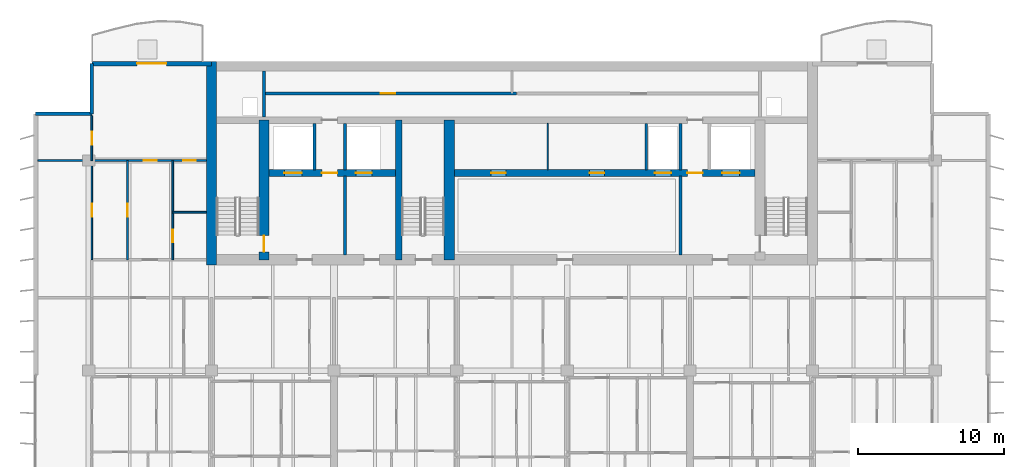
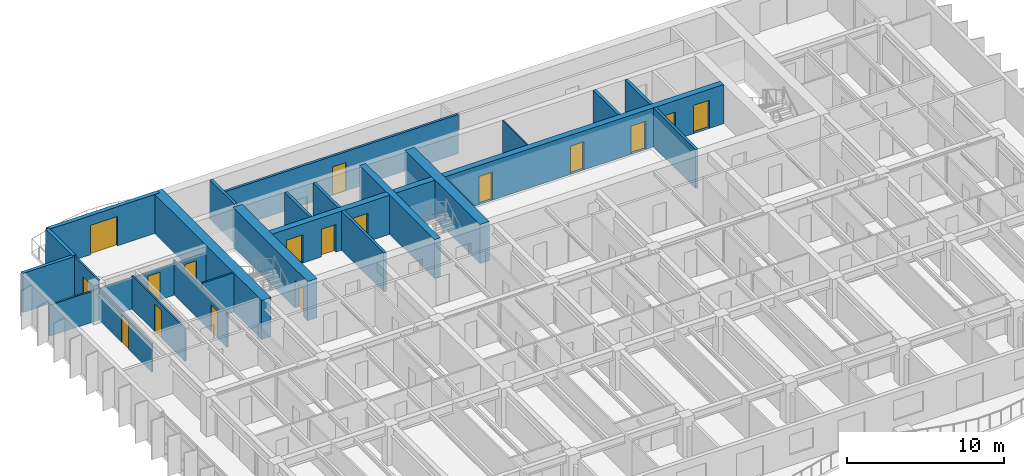
# One storey, part 13 of 19: 23 walls, 17 doors, 17 openings.
"""IFC4 building model written with IfcOpenShell, lengths in metres."""

from ifc_helpers import new_model, si_unit, direction, frame, frame_2d, origin, place, context, subcontext, project, spatial, rectangle, extrude, material, layer, layer_set, type_object, element, fill, save


model = new_model("IFC4")

# Units and contexts
model_context = context("Model", 3, precision=1e-05, world=origin(), true_north=direction((0.0, 1.0)))
body_context = subcontext(model_context, "Body", "Model", "MODEL_VIEW")
ifc_project = project(units=[si_unit("LENGTHUNIT", "METRE"), si_unit("AREAUNIT", "SQUARE_METRE"), si_unit("VOLUMEUNIT", "CUBIC_METRE"), si_unit("PLANEANGLEUNIT", "RADIAN"), si_unit("MASSUNIT", "GRAM", prefix="KILO")], contexts=[model_context])

# Site, building, storey
site_placement = place(None, origin())
site = spatial("IfcSite", under=ifc_project, at=site_placement, CompositionType="ELEMENT")
building_placement = place(site_placement, origin())
building = spatial("IfcBuilding", under=site, at=building_placement, Name="Caelmar Bay Residences", CompositionType="ELEMENT")
storey_placement = place(building_placement, frame((0.0, 0.0, 214.800048828125)))
storey = spatial("IfcBuildingStorey", under=building, at=storey_placement, Name="L60", CompositionType="ELEMENT", Elevation=214.800048828125)

# Wall
ifc_material_1 = material(Name="Concrete f'c 55 MPa (8,000 psi)", Category="concrete")
ifc_layer_1 = layer(ifc_material_1, 0.699951171875)
ifc_layer_set_1 = layer_set([ifc_layer_1], Name="Concrete f'c 55 MPa (8,000 psi)")
wall_type_1 = type_object("IfcWallType", Name="SW-COR-700", PredefinedType="SHEAR", material=ifc_layer_set_1)
wall_1_placement = place(storey_placement, frame((18.300048828125, 36.64990234375, 0.0), z_axis=(0.0, 0.0, 1.0), x_axis=(0.0, 1.0, 0.0)))
element("IfcWall", 1, at=wall_1_placement, inside=storey, type_object=wall_type_1, Name="L60 Rear Core West Shear Wall", PredefinedType="SHEAR", context=body_context, shape_type="SweptSolid", body=[
    extrude(rectangle(XDim=13.9501953125, YDim=0.699951171875, at=frame_2d((6.97509765625, 0.0))), origin(), (0.0, 0.0, 1.0), 3.050048828125),
])

# Wall, opening, door
wall_2_placement = place(storey_placement, frame((21.89990234375, 37.0, 0.0), z_axis=(0.0, 0.0, 1.0), x_axis=(0.0, 1.0, 0.0)))
wall_2 = element("IfcWall", 2, at=wall_2_placement, inside=storey, type_object=wall_type_1, Name="L60 Core Structural Web Wall ST1E", PredefinedType="SHEAR", context=body_context, shape_type="SweptSolid", body=[
    extrude(rectangle(XDim=9.574951171875, YDim=0.699951171875, at=frame_2d((4.78759765625, 0.0))), origin(), (0.0, 0.0, 1.0), 3.050048828125),
])
opening_1_placement = place(wall_2_placement, frame((0.550048828125, 0.0, 0.0)))
opening_1 = element("IfcOpeningElement", 3, at=opening_1_placement, cuts=wall_2, Name="Opening D-L60-107", PredefinedType="OPENING", context=body_context, shape_type="SweptSolid", body=[
    extrude(rectangle(XDim=1.10009765625, YDim=2.14990234375, at=frame_2d((0.550048828125, 1.074951171875))), frame((0.0, 0.35986328125, 0.0), z_axis=(0.0, -1.0, 0.0), x_axis=(1.0, 0.0, 0.0)), (0.0, 0.0, 1.0), 0.719970703125),
])
ifc_material_2 = material(Name="Fire-rated steel and walnut architectural door assembly", Category="steel")
ifc_layer_2 = layer(ifc_material_2, 0.050048828125)
ifc_layer_set_2 = layer_set([ifc_layer_2], Name="Fire-rated steel and walnut architectural door assembly")
door_type_1 = type_object("IfcDoorType", Name="D-STAIR-1100", OperationType="NOTDEFINED", PredefinedType="DOOR", material=ifc_layer_set_2)
door_1_placement = place(opening_1_placement, origin())
door_1 = element("IfcDoor", 4, at=door_1_placement, inside=storey, type_object=door_type_1, Name="L60 Firefighting Lobby West Door", OperationType="SINGLE_SWING_RIGHT", OverallHeight=2.14990234375, OverallWidth=1.10009765625, PredefinedType="DOOR", context=body_context, shape_type="SweptSolid", body=[
    extrude(rectangle(XDim=1.10009765625, YDim=2.14990234375, at=frame_2d((0.550048828125, 1.074951171875))), frame((0.0, 0.02490234375, 0.0), z_axis=(0.0, -1.0, 0.0), x_axis=(1.0, 0.0, 0.0)), (0.0, 0.0, 1.0), 0.050048828125),
])
fill(opening_1, door_1)

# Walls
wall_3_placement = place(storey_placement, frame((34.60009765625, 37.0, 0.0), z_axis=(0.0, 0.0, 1.0), x_axis=(0.0, 1.0, 0.0)))
element("IfcWall", 5, at=wall_3_placement, inside=storey, type_object=wall_type_1, Name="L60 Core Structural Web Wall ST3E", PredefinedType="SHEAR", context=body_context, shape_type="SweptSolid", body=[
    extrude(rectangle(XDim=9.574951171875, YDim=0.699951171875, at=frame_2d((4.78759765625, 0.0))), origin(), (0.0, 0.0, 1.0), 3.050048828125),
])
ifc_material_3 = material(Name="Concrete f'c 70 MPa (10,000 psi)", Category="concrete")
ifc_layer_3 = layer(ifc_material_3, 0.449951171875)
ifc_layer_set_3 = layer_set([ifc_layer_3], Name="Concrete f'c 70 MPa (10,000 psi)")
wall_type_2 = type_object("IfcWallType", Name="SW-WEB-450", PredefinedType="SHEAR", material=ifc_layer_set_3)
wall_4_placement = place(storey_placement, frame((31.125, 37.0, 0.0), z_axis=(0.0, 0.0, 1.0), x_axis=(0.0, 1.0, 0.0)))
element("IfcWall", 6, at=wall_4_placement, inside=storey, type_object=wall_type_2, Name="L60 Core Structural Web Wall ST3W", PredefinedType="SHEAR", context=body_context, shape_type="SweptSolid", body=[
    extrude(rectangle(XDim=9.574951171875, YDim=0.449951171875, at=frame_2d((4.78759765625, 0.0))), origin(), (0.0, 0.0, 1.0), 3.050048828125),
])

# Wall, openings, doors
wall_5_placement = place(storey_placement, frame((22.25, 42.949951171875, 0.0), z_axis=(0.0, 0.0, 1.0), x_axis=(1.0, 0.0, 0.0)))
wall_5 = element("IfcWall", 7, at=wall_5_placement, inside=storey, type_object=wall_type_2, Name="L60 Core Structural Web Wall LFR", PredefinedType="SHEAR", context=body_context, shape_type="SweptSolid", body=[
    extrude(rectangle(XDim=33.300048828125, YDim=0.449951171875, at=frame_2d((16.64990234375, 0.0))), origin(), (0.0, 0.0, 1.0), 3.050048828125),
])
opening_2_placement = place(wall_5_placement, frame((1.050048828125, 0.0, 0.0)))
opening_2 = element("IfcOpeningElement", 8, at=opening_2_placement, cuts=wall_5, Name="Opening LD2", PredefinedType="OPENING", context=body_context, shape_type="SweptSolid", body=[
    extrude(rectangle(XDim=1.199951171875, YDim=2.199951171875, at=frame_2d((0.60009765625, 1.10009765625))), frame((0.0, 0.23486328125, 0.0), z_axis=(0.0, -1.0, 0.0), x_axis=(1.0, 0.0, 0.0)), (0.0, 0.0, 1.0), 0.469970703125),
])
opening_3_placement = place(wall_5_placement, frame((31.050048828125, 0.0, 0.0)))
opening_3 = element("IfcOpeningElement", 9, at=opening_3_placement, cuts=wall_5, Name="Opening LD2", PredefinedType="OPENING", context=body_context, shape_type="SweptSolid", body=[
    extrude(rectangle(XDim=1.199951171875, YDim=2.199951171875, at=frame_2d((0.60009765625, 1.10009765625))), frame((0.0, 0.23486328125, 0.0), z_axis=(0.0, -1.0, 0.0), x_axis=(1.0, 0.0, 0.0)), (0.0, 0.0, 1.0), 0.469970703125),
])
opening_4_placement = place(wall_5_placement, frame((26.449951171875, 0.0, 0.0)))
opening_4 = element("IfcOpeningElement", 10, at=opening_4_placement, cuts=wall_5, Name="Opening LD1", PredefinedType="OPENING", context=body_context, shape_type="SweptSolid", body=[
    extrude(rectangle(XDim=1.10009765625, YDim=2.199951171875, at=frame_2d((0.550048828125, 1.10009765625))), frame((0.0, 0.23486328125, 0.0), z_axis=(0.0, -1.0, 0.0), x_axis=(1.0, 0.0, 0.0)), (0.0, 0.0, 1.0), 0.469970703125),
])
opening_5_placement = place(wall_5_placement, frame((5.949951171875, 0.0, 0.0)))
opening_5 = element("IfcOpeningElement", 11, at=opening_5_placement, cuts=wall_5, Name="Opening LD1", PredefinedType="OPENING", context=body_context, shape_type="SweptSolid", body=[
    extrude(rectangle(XDim=1.10009765625, YDim=2.199951171875, at=frame_2d((0.550048828125, 1.10009765625))), frame((0.0, 0.23486328125, 0.0), z_axis=(0.0, -1.0, 0.0), x_axis=(1.0, 0.0, 0.0)), (0.0, 0.0, 1.0), 0.469970703125),
])
opening_6_placement = place(wall_5_placement, frame((3.625, 0.0, 0.0)))
opening_6 = element("IfcOpeningElement", 12, at=opening_6_placement, cuts=wall_5, Name="Opening D-L60-108", PredefinedType="OPENING", context=body_context, shape_type="SweptSolid", body=[
    extrude(rectangle(XDim=1.050048828125, YDim=2.14990234375, at=frame_2d((0.52490234375, 1.074951171875))), frame((0.0, 0.23486328125, 0.0), z_axis=(0.0, -1.0, 0.0), x_axis=(1.0, 0.0, 0.0)), (0.0, 0.0, 1.0), 0.469970703125),
])
opening_7_placement = place(wall_5_placement, frame((28.675048828125, 0.0, 0.0)))
opening_7 = element("IfcOpeningElement", 13, at=opening_7_placement, cuts=wall_5, Name="Opening D-L60-111", PredefinedType="OPENING", context=body_context, shape_type="SweptSolid", body=[
    extrude(rectangle(XDim=1.050048828125, YDim=2.14990234375, at=frame_2d((0.52490234375, 1.074951171875))), frame((0.0, 0.23486328125, 0.0), z_axis=(0.0, -1.0, 0.0), x_axis=(1.0, 0.0, 0.0)), (0.0, 0.0, 1.0), 0.469970703125),
])
opening_8_placement = place(wall_5_placement, frame((15.22509765625, 0.0, 0.0)))
opening_8 = element("IfcOpeningElement", 14, at=opening_8_placement, cuts=wall_5, Name="Opening D-L60-114", PredefinedType="OPENING", context=body_context, shape_type="SweptSolid", body=[
    extrude(rectangle(XDim=1.0, YDim=2.199951171875, at=frame_2d((0.5, 1.10009765625))), frame((0.0, 0.23486328125, 0.0), z_axis=(0.0, -1.0, 0.0), x_axis=(1.0, 0.0, 0.0)), (0.0, 0.0, 1.0), 0.469970703125),
])
opening_9_placement = place(wall_5_placement, frame((21.97509765625, 0.0, 0.0)))
opening_9 = element("IfcOpeningElement", 15, at=opening_9_placement, cuts=wall_5, Name="Opening D-L60-115", PredefinedType="OPENING", context=body_context, shape_type="SweptSolid", body=[
    extrude(rectangle(XDim=1.0, YDim=2.199951171875, at=frame_2d((0.5, 1.10009765625))), frame((0.0, 0.23486328125, 0.0), z_axis=(0.0, -1.0, 0.0), x_axis=(1.0, 0.0, 0.0)), (0.0, 0.0, 1.0), 0.469970703125),
])
ifc_layer_4 = layer(ifc_material_2, 0.050048828125)
ifc_layer_set_4 = layer_set([ifc_layer_4], Name="Fire-rated steel and walnut architectural door assembly")
door_type_2 = type_object("IfcDoorType", Name="D-FSAE-1050", OperationType="NOTDEFINED", PredefinedType="DOOR", material=ifc_layer_set_4)
door_2_placement = place(opening_6_placement, origin())
door_2 = element("IfcDoor", 16, at=door_2_placement, inside=storey, type_object=door_type_2, Name="L60 Firefighting Lobby West Door", OperationType="SINGLE_SWING_LEFT", OverallHeight=2.14990234375, OverallWidth=1.050048828125, PredefinedType="DOOR", context=body_context, shape_type="SweptSolid", body=[
    extrude(rectangle(XDim=1.050048828125, YDim=2.14990234375, at=frame_2d((0.52490234375, 1.074951171875))), frame((0.0, 0.02490234375, 0.0), z_axis=(0.0, -1.0, 0.0), x_axis=(1.0, 0.0, 0.0)), (0.0, 0.0, 1.0), 0.050048828125),
])
fill(opening_6, door_2)
door_3_placement = place(opening_7_placement, origin())
door_3 = element("IfcDoor", 17, at=door_3_placement, inside=storey, type_object=door_type_2, Name="L60 Firefighting Lobby East Door", OperationType="SINGLE_SWING_RIGHT", OverallHeight=2.14990234375, OverallWidth=1.050048828125, PredefinedType="DOOR", context=body_context, shape_type="SweptSolid", body=[
    extrude(rectangle(XDim=1.050048828125, YDim=2.14990234375, at=frame_2d((0.52490234375, 1.074951171875))), frame((0.0, 0.02490234375, 0.0), z_axis=(0.0, -1.0, 0.0), x_axis=(1.0, 0.0, 0.0)), (0.0, 0.0, 1.0), 0.050048828125),
])
fill(opening_7, door_3)
ifc_material_4 = material(Name="Brushed bronze stainless-steel fire-rated lift landing doors", Category="steel")
ifc_layer_5 = layer(ifc_material_4, 0.050048828125)
ifc_layer_set_5 = layer_set([ifc_layer_5], Name="Brushed bronze stainless-steel fire-rated lift landing doors")
door_type_3 = type_object("IfcDoorType", Name="D-LND-1100", OperationType="DOUBLE_DOOR_SLIDING", PredefinedType="DOOR", material=ifc_layer_set_5)
door_4_placement = place(opening_4_placement, origin())
door_4 = element("IfcDoor", 18, at=door_4_placement, inside=storey, type_object=door_type_3, Name="L60 LP6 Sliding Landing Door", OperationType="DOUBLE_DOOR_SLIDING", OverallHeight=2.199951171875, OverallWidth=1.10009765625, PredefinedType="DOOR", context=body_context, shape_type="SweptSolid", body=[
    extrude(rectangle(XDim=1.10009765625, YDim=2.199951171875, at=frame_2d((0.550048828125, 1.10009765625))), frame((0.0, 0.02490234375, 0.0), z_axis=(0.0, -1.0, 0.0), x_axis=(1.0, 0.0, 0.0)), (0.0, 0.0, 1.0), 0.050048828125),
])
fill(opening_4, door_4)
door_5_placement = place(opening_5_placement, origin())
door_5 = element("IfcDoor", 19, at=door_5_placement, inside=storey, type_object=door_type_3, Name="L60 LP7 Sliding Landing Door", OperationType="DOUBLE_DOOR_SLIDING", OverallHeight=2.199951171875, OverallWidth=1.10009765625, PredefinedType="DOOR", context=body_context, shape_type="SweptSolid", body=[
    extrude(rectangle(XDim=1.10009765625, YDim=2.199951171875, at=frame_2d((0.550048828125, 1.10009765625))), frame((0.0, 0.02490234375, 0.0), z_axis=(0.0, -1.0, 0.0), x_axis=(1.0, 0.0, 0.0)), (0.0, 0.0, 1.0), 0.050048828125),
])
fill(opening_5, door_5)
ifc_material_5 = material(Name="Brushed stainless-steel FSAE sliding landing door", Category="steel")
ifc_layer_6 = layer(ifc_material_5, 0.050048828125)
ifc_layer_set_6 = layer_set([ifc_layer_6], Name="Brushed stainless-steel FSAE sliding landing door")
door_type_4 = type_object("IfcDoorType", Name="D-LND-1200", OperationType="DOUBLE_DOOR_SLIDING", PredefinedType="DOOR", material=ifc_layer_set_6)
door_6_placement = place(opening_2_placement, origin())
door_6 = element("IfcDoor", 20, at=door_6_placement, inside=storey, type_object=door_type_4, Name="L60 LF1 Sliding Landing Door", OperationType="DOUBLE_DOOR_SLIDING", OverallHeight=2.199951171875, OverallWidth=1.199951171875, PredefinedType="DOOR", context=body_context, shape_type="SweptSolid", body=[
    extrude(rectangle(XDim=1.199951171875, YDim=2.199951171875, at=frame_2d((0.60009765625, 1.10009765625))), frame((0.0, 0.02490234375, 0.0), z_axis=(0.0, -1.0, 0.0), x_axis=(1.0, 0.0, 0.0)), (0.0, 0.0, 1.0), 0.050048828125),
])
fill(opening_2, door_6)
door_7_placement = place(opening_3_placement, origin())
door_7 = element("IfcDoor", 21, at=door_7_placement, inside=storey, type_object=door_type_4, Name="L60 LF2 Sliding Landing Door", OperationType="DOUBLE_DOOR_SLIDING", OverallHeight=2.199951171875, OverallWidth=1.199951171875, PredefinedType="DOOR", context=body_context, shape_type="SweptSolid", body=[
    extrude(rectangle(XDim=1.199951171875, YDim=2.199951171875, at=frame_2d((0.60009765625, 1.10009765625))), frame((0.0, 0.02490234375, 0.0), z_axis=(0.0, -1.0, 0.0), x_axis=(1.0, 0.0, 0.0)), (0.0, 0.0, 1.0), 0.050048828125),
])
fill(opening_3, door_7)
ifc_layer_7 = layer(ifc_material_2, 0.050048828125)
ifc_layer_set_7 = layer_set([ifc_layer_7], Name="Fire-rated steel and walnut architectural door assembly")
door_type_5 = type_object("IfcDoorType", Name="D-UNIT-1000", OperationType="NOTDEFINED", PredefinedType="DOOR", material=ifc_layer_set_7)
door_8_placement = place(opening_8_placement, origin())
door_8 = element("IfcDoor", 22, at=door_8_placement, inside=storey, type_object=door_type_5, Name="L60 Collector Study Door", OperationType="SINGLE_SWING_LEFT", OverallHeight=2.199951171875, OverallWidth=1.0, PredefinedType="DOOR", context=body_context, shape_type="SweptSolid", body=[
    extrude(rectangle(XDim=1.0, YDim=2.199951171875, at=frame_2d((0.5, 1.10009765625))), frame((0.0, 0.02490234375, 0.0), z_axis=(0.0, -1.0, 0.0), x_axis=(1.0, 0.0, 0.0)), (0.0, 0.0, 1.0), 0.050048828125),
])
fill(opening_8, door_8)
door_9_placement = place(opening_9_placement, origin())
door_9 = element("IfcDoor", 23, at=door_9_placement, inside=storey, type_object=door_type_5, Name="L60 Private Dining Room Door", OperationType="SINGLE_SWING_RIGHT", OverallHeight=2.199951171875, OverallWidth=1.0, PredefinedType="DOOR", context=body_context, shape_type="SweptSolid", body=[
    extrude(rectangle(XDim=1.0, YDim=2.199951171875, at=frame_2d((0.5, 1.10009765625))), frame((0.0, 0.02490234375, 0.0), z_axis=(0.0, -1.0, 0.0), x_axis=(1.0, 0.0, 0.0)), (0.0, 0.0, 1.0), 0.050048828125),
])
fill(opening_9, door_9)

# Wall, opening, door
ifc_material_6 = material(Name="Double-stud acoustic fire-rated gypsum partition 180 mm")
ifc_layer_8 = layer(ifc_material_6, 0.179931640625)
ifc_layer_set_8 = layer_set([ifc_layer_8], Name="Double-stud acoustic fire-rated gypsum partition 180 mm")
wall_type_3 = type_object("IfcWallType", Name="W-COR-200", PredefinedType="PARTITIONING", material=ifc_layer_set_8)
wall_6_placement = place(storey_placement, frame((21.89990234375, 48.39990234375, 0.0), z_axis=(0.0, 0.0, 1.0), x_axis=(1.0, 0.0, 0.0)))
wall_6 = element("IfcWall", 24, at=wall_6_placement, inside=storey, type_object=wall_type_3, Name="L60 Partition Wall H136", PredefinedType="PARTITIONING", context=body_context, shape_type="SweptSolid", body=[
    extrude(rectangle(XDim=17.30419921875, YDim=0.179931640625, at=frame_2d((8.652099609375, 0.0))), origin(), (0.0, 0.0, 1.0), 3.050048828125),
])
opening_10_placement = place(wall_6_placement, frame((8.0, 0.0, 0.0)))
opening_10 = element("IfcOpeningElement", 25, at=opening_10_placement, cuts=wall_6, Name="Opening D-L60-118", PredefinedType="OPENING", context=body_context, shape_type="SweptSolid", body=[
    extrude(rectangle(XDim=1.0, YDim=2.199951171875, at=frame_2d((0.5, 1.10009765625))), frame((0.0, 0.099853515625, 0.0), z_axis=(0.0, -1.0, 0.0), x_axis=(1.0, 0.0, 0.0)), (0.0, 0.0, 1.0), 0.199951171875),
])
door_10_placement = place(opening_10_placement, origin())
door_10 = element("IfcDoor", 26, at=door_10_placement, inside=storey, type_object=door_type_5, Name="L60 Building Management Office Door", OperationType="SINGLE_SWING_LEFT", OverallHeight=2.199951171875, OverallWidth=1.0, PredefinedType="DOOR", context=body_context, shape_type="SweptSolid", body=[
    extrude(rectangle(XDim=1.0, YDim=2.199951171875, at=frame_2d((0.5, 1.10009765625))), frame((0.0, 0.02490234375, 0.0), z_axis=(0.0, -1.0, 0.0), x_axis=(1.0, 0.0, 0.0)), (0.0, 0.0, 1.0), 0.050048828125),
])
fill(opening_10, door_10)

# Walls
ifc_material_7 = material(Name="Precast concrete f'c 40 MPa (6,000 psi)", Category="concrete")
ifc_layer_9 = layer(ifc_material_7, 0.25)
ifc_layer_set_9 = layer_set([ifc_layer_9], Name="Precast concrete f'c 40 MPa (6,000 psi)")
wall_type_4 = type_object("IfcWallType", Name="W-EXT-250", PredefinedType="ELEMENTEDWALL", material=ifc_layer_set_9)
wall_7_placement = place(storey_placement, frame((6.25, 47.0, 0.0), z_axis=(0.0, 0.0, 1.0), x_axis=(1.0, 0.0, 0.0)))
element("IfcWall", 27, at=wall_7_placement, inside=storey, type_object=wall_type_4, Name="L60 NNW-H Notch Wall", PredefinedType="ELEMENTEDWALL", context=body_context, shape_type="SweptSolid", body=[
    extrude(rectangle(XDim=3.85009765625, YDim=0.25, at=frame_2d((1.925048828125, 0.0))), origin(), (0.0, 0.0, 1.0), 3.050048828125),
])
wall_8_placement = place(storey_placement, frame((10.10009765625, 47.0, 0.0), z_axis=(0.0, 0.0, 1.0), x_axis=(0.0, 1.0, 0.0)))
element("IfcWall", 28, at=wall_8_placement, inside=storey, type_object=wall_type_4, Name="L60 NNW-V Notch Wall", PredefinedType="ELEMENTEDWALL", context=body_context, shape_type="SweptSolid", body=[
    extrude(rectangle(XDim=3.449951171875, YDim=0.25, at=frame_2d((1.72509765625, 0.0))), origin(), (0.0, 0.0, 1.0), 3.050048828125),
])

# Wall, opening, door
ifc_layer_10 = layer(ifc_material_7, 0.300048828125)
ifc_layer_set_10 = layer_set([ifc_layer_10], Name="Precast concrete f'c 40 MPa (6,000 psi)")
wall_type_5 = type_object("IfcWallType", Name="W-EXT-300", PredefinedType="STANDARD", material=ifc_layer_set_10)
wall_9_placement = place(storey_placement, frame((10.10009765625, 50.449951171875, 0.0), z_axis=(0.0, 0.0, 1.0), x_axis=(1.0, 0.0, 0.0)))
wall_9 = element("IfcWall", 29, at=wall_9_placement, inside=storey, type_object=wall_type_5, Name="L60 North-West Wing Exterior Wall", PredefinedType="STANDARD", context=body_context, shape_type="SweptSolid", body=[
    extrude(rectangle(XDim=8.199951171875, YDim=0.300048828125, at=frame_2d((4.10009765625, 0.0))), origin(), (0.0, 0.0, 1.0), 3.050048828125),
])
opening_11_placement = place(wall_9_placement, frame((3.10009765625, 0.0, 0.0)))
opening_11 = element("IfcOpeningElement", 30, at=opening_11_placement, cuts=wall_9, Name="Opening L60-BDNW", PredefinedType="OPENING", context=body_context, shape_type="SweptSolid", body=[
    extrude(rectangle(XDim=2.0, YDim=2.300048828125, at=frame_2d((1.0, 1.14990234375))), frame((0.0, 0.159912109375, 0.0), z_axis=(0.0, -1.0, 0.0), x_axis=(1.0, 0.0, 0.0)), (0.0, 0.0, 1.0), 0.320068359375),
])
ifc_material_8 = material(Name="Anodised bronze thermally broken sliding glass door", Category="glass")
ifc_layer_11 = layer(ifc_material_8, 0.050048828125)
ifc_layer_set_11 = layer_set([ifc_layer_11], Name="Anodised bronze thermally broken sliding glass door")
door_type_6 = type_object("IfcDoorType", Name="D-BAL-2000", OperationType="DOUBLE_DOOR_SLIDING", PredefinedType="DOOR", material=ifc_layer_set_11)
door_11_placement = place(opening_11_placement, origin())
door_11 = element("IfcDoor", 31, at=door_11_placement, inside=storey, type_object=door_type_6, Name="L60 North-West Balcony Door", OperationType="DOUBLE_DOOR_SLIDING", OverallHeight=2.300048828125, OverallWidth=2.0, PredefinedType="DOOR", context=body_context, shape_type="SweptSolid", body=[
    extrude(rectangle(XDim=2.0, YDim=2.300048828125, at=frame_2d((1.0, 1.14990234375))), frame((0.0, 0.02490234375, 0.0), z_axis=(0.0, -1.0, 0.0), x_axis=(1.0, 0.0, 0.0)), (0.0, 0.0, 1.0), 0.050048828125),
])
fill(opening_11, door_11)

# Walls
ifc_material_9 = material(Name="Fire-rated masonry and gypsum shaftliner assembly 200 mm", Category="masonry")
ifc_layer_12 = layer(ifc_material_9, 0.199951171875)
ifc_layer_set_12 = layer_set([ifc_layer_12], Name="Fire-rated masonry and gypsum shaftliner assembly 200 mm")
wall_type_6 = type_object("IfcWallType", Name="W-FSAE-200", PredefinedType="PARTITIONING", material=ifc_layer_set_12)
wall_10_placement = place(storey_placement, frame((21.89990234375, 46.794921875, 0.0), z_axis=(0.0, 0.0, 1.0), x_axis=(0.0, 1.0, 0.0)))
element("IfcWall", 32, at=wall_10_placement, inside=storey, type_object=wall_type_6, Name="L60 Partition Wall V023", PredefinedType="PARTITIONING", context=body_context, shape_type="SweptSolid", body=[
    extrude(rectangle(XDim=3.16015625, YDim=0.199951171875, at=frame_2d((1.580078125, 0.0))), origin(), (0.0, 0.0, 1.0), 3.050048828125),
])
wall_11_placement = place(storey_placement, frame((25.35009765625, 43.169921875, 0.0), z_axis=(0.0, 0.0, 1.0), x_axis=(0.0, 1.0, 0.0)))
element("IfcWall", 33, at=wall_11_placement, inside=storey, type_object=wall_type_6, Name="L60 Partition Wall V030", PredefinedType="PARTITIONING", context=body_context, shape_type="SweptSolid", body=[
    extrude(rectangle(XDim=3.18505859375, YDim=0.199951171875, at=frame_2d((1.592529296875, 0.0))), origin(), (0.0, 0.0, 1.0), 3.050048828125),
])
wall_12_placement = place(storey_placement, frame((27.449951171875, 37.344970703125, 0.0), z_axis=(0.0, 0.0, 1.0), x_axis=(0.0, 1.0, 0.0)))
element("IfcWall", 34, at=wall_12_placement, inside=storey, type_object=wall_type_6, Name="L60 Partition Wall V034", PredefinedType="PARTITIONING", context=body_context, shape_type="SweptSolid", body=[
    extrude(rectangle(XDim=5.385009765625, YDim=0.199951171875, at=frame_2d((2.6923828125, 0.0))), origin(), (0.0, 0.0, 1.0), 3.050048828125),
])
for number, where, z_axis, x_axis, name in (
    (35, (27.449951171875, 43.169921875, 0.0), (0.0, 0.0, 1.0), (0.0, 1.0, 0.0), "L60 Partition Wall V035"),
    (36, (48.10009765625, 43.169921875, 0.0), (0.0, 0.0, 1.0), (0.0, 1.0, 0.0), "L60 Partition Wall V067"),
):
    element("IfcWall", number, at=place(storey_placement, frame(where, z_axis=z_axis, x_axis=x_axis)), inside=storey, type_object=wall_type_6, Name=name, PredefinedType="PARTITIONING", context=body_context, shape_type="SweptSolid", body=[
        extrude(rectangle(XDim=3.18505859375, YDim=0.199951171875, at=frame_2d((1.592529296875, 0.0))), origin(), (0.0, 0.0, 1.0), 3.050048828125),
    ])
wall_13_placement = place(storey_placement, frame((50.449951171875, 37.344970703125, 0.0), z_axis=(0.0, 0.0, 1.0), x_axis=(0.0, 1.0, 0.0)))
element("IfcWall", 37, at=wall_13_placement, inside=storey, type_object=wall_type_6, Name="L60 Partition Wall V069", PredefinedType="PARTITIONING", context=body_context, shape_type="SweptSolid", body=[
    extrude(rectangle(XDim=5.385009765625, YDim=0.199951171875, at=frame_2d((2.6923828125, 0.0))), origin(), (0.0, 0.0, 1.0), 3.050048828125),
])
wall_14_placement = place(storey_placement, frame((50.449951171875, 43.169921875, 0.0), z_axis=(0.0, 0.0, 1.0), x_axis=(0.0, 1.0, 0.0)))
element("IfcWall", 38, at=wall_14_placement, inside=storey, type_object=wall_type_6, Name="L60 Partition Wall V070", PredefinedType="PARTITIONING", context=body_context, shape_type="SweptSolid", body=[
    extrude(rectangle(XDim=3.18505859375, YDim=0.199951171875, at=frame_2d((1.592529296875, 0.0))), origin(), (0.0, 0.0, 1.0), 3.050048828125),
])

# Wall, opening, door
ifc_material_10 = material(Name="Anodised bronze framed acoustic sliding study partition 100 mm")
ifc_layer_13 = layer(ifc_material_10, 0.10009765625)
ifc_layer_set_13 = layer_set([ifc_layer_13], Name="Anodised bronze framed acoustic sliding study partition 100 mm")
wall_type_7 = type_object("IfcWallType", Name="W-MOV-100", PredefinedType="MOVABLE", material=ifc_layer_set_13)
wall_15_placement = place(storey_placement, frame((10.10009765625, 37.0048828125, 0.0), z_axis=(0.0, 0.0, 1.0), x_axis=(0.0, 1.0, 0.0)))
wall_15 = element("IfcWall", 39, at=wall_15_placement, inside=storey, type_object=wall_type_7, Name="L60 Partition Wall V007", PredefinedType="MOVABLE", context=body_context, shape_type="SweptSolid", body=[
    extrude(rectangle(XDim=6.795166015625, YDim=0.10009765625, at=frame_2d((3.3974609375, 0.0))), origin(), (0.0, 0.0, 1.0), 2.262939453125),
])
opening_12_placement = place(wall_15_placement, frame((2.947509765625, 0.0, 0.0)))
opening_12 = element("IfcOpeningElement", 40, at=opening_12_placement, cuts=wall_15, Name="Opening D-L60-175", PredefinedType="OPENING", context=body_context, shape_type="SweptSolid", body=[
    extrude(rectangle(XDim=0.89990234375, YDim=2.14990234375, at=frame_2d((0.449951171875, 1.074951171875))), frame((0.0, 0.06005859375, 0.0), z_axis=(0.0, -1.0, 0.0), x_axis=(1.0, 0.0, 0.0)), (0.0, 0.0, 1.0), 0.1201171875),
])
ifc_material_11 = material(Name="Solid walnut timber interior door leaf and frame", Category="wood")
ifc_layer_14 = layer(ifc_material_11, 0.050048828125)
ifc_layer_set_14 = layer_set([ifc_layer_14], Name="Solid walnut timber interior door leaf and frame")
door_type_7 = type_object("IfcDoorType", Name="D-ROOM-900", OperationType="NOTDEFINED", PredefinedType="DOOR", material=ifc_layer_set_14)
door_12_placement = place(opening_12_placement, origin())
door_12 = element("IfcDoor", 41, at=door_12_placement, inside=storey, type_object=door_type_7, Name="L60 Residence WA Sun Study Door", OperationType="SINGLE_SWING_RIGHT", OverallHeight=2.14990234375, OverallWidth=0.89990234375, PredefinedType="DOOR", context=body_context, shape_type="SweptSolid", body=[
    extrude(rectangle(XDim=0.89990234375, YDim=2.14990234375, at=frame_2d((0.449951171875, 1.074951171875))), frame((0.0, 0.02490234375, 0.0), z_axis=(0.0, -1.0, 0.0), x_axis=(1.0, 0.0, 0.0)), (0.0, 0.0, 1.0), 0.050048828125),
])
fill(opening_12, door_12)

# Wall
wall_16_placement = place(storey_placement, frame((41.35009765625, 43.169921875, 0.0), z_axis=(0.0, 0.0, 1.0), x_axis=(0.0, 1.0, 0.0)))
element("IfcWall", 42, at=wall_16_placement, inside=storey, type_object=wall_type_7, Name="L60 Partition Wall V055", PredefinedType="MOVABLE", context=body_context, shape_type="SweptSolid", body=[
    extrude(rectangle(XDim=3.18505859375, YDim=0.10009765625, at=frame_2d((1.592529296875, 0.0))), origin(), (0.0, 0.0, 1.0), 3.050048828125),
])

# Wall, opening, door
ifc_material_12 = material(Name="Acoustic metal-stud gypsum partition 120 mm")
ifc_layer_15 = layer(ifc_material_12, 0.1201171875)
ifc_layer_set_15 = layer_set([ifc_layer_15], Name="Acoustic metal-stud gypsum partition 120 mm")
wall_type_8 = type_object("IfcWallType", Name="W-PRT-120", PredefinedType="PARTITIONING", material=ifc_layer_set_15)
wall_17_placement = place(storey_placement, frame((10.10009765625, 43.804931640625, 0.0), z_axis=(0.0, 0.0, 1.0), x_axis=(0.0, 1.0, 0.0)))
wall_17 = element("IfcWall", 43, at=wall_17_placement, inside=storey, type_object=wall_type_8, Name="L60 Partition Wall V008", PredefinedType="PARTITIONING", context=body_context, shape_type="SweptSolid", body=[
    extrude(rectangle(XDim=3.074951171875, YDim=0.1201171875, at=frame_2d((1.53759765625, 0.0))), origin(), (0.0, 0.0, 1.0), 3.050048828125),
])
opening_13_placement = place(wall_17_placement, frame((1.08740234375, 0.0, 0.0)))
opening_13 = element("IfcOpeningElement", 44, at=opening_13_placement, cuts=wall_17, Name="Opening D-L60-176", PredefinedType="OPENING", context=body_context, shape_type="SweptSolid", body=[
    extrude(rectangle(XDim=0.89990234375, YDim=2.14990234375, at=frame_2d((0.449951171875, 1.074951171875))), frame((0.0, 0.070068359375, 0.0), z_axis=(0.0, -1.0, 0.0), x_axis=(1.0, 0.0, 0.0)), (0.0, 0.0, 1.0), 0.14013671875),
])
door_13_placement = place(opening_13_placement, origin())
door_13 = element("IfcDoor", 45, at=door_13_placement, inside=storey, type_object=door_type_7, Name="L60 Residence WA North Sitting Alcove Door", OperationType="SINGLE_SWING_LEFT", OverallHeight=2.14990234375, OverallWidth=0.89990234375, PredefinedType="DOOR", context=body_context, shape_type="SweptSolid", body=[
    extrude(rectangle(XDim=0.89990234375, YDim=2.14990234375, at=frame_2d((0.449951171875, 1.074951171875))), frame((0.0, 0.02490234375, 0.0), z_axis=(0.0, -1.0, 0.0), x_axis=(1.0, 0.0, 0.0)), (0.0, 0.0, 1.0), 0.050048828125),
])
fill(opening_13, door_13)

wall_18_placement = place(storey_placement, frame((12.5419921875, 37.0, 0.0), z_axis=(0.0, 0.0, 1.0), x_axis=(0.0, 1.0, 0.0)))
wall_18 = element("IfcWall", 46, at=wall_18_placement, inside=storey, type_object=wall_type_8, Name="L60 Partition Wall V009", PredefinedType="PARTITIONING", context=body_context, shape_type="SweptSolid", body=[
    extrude(rectangle(XDim=6.800048828125, YDim=0.1201171875, at=frame_2d((3.39990234375, 0.0))), origin(), (0.0, 0.0, 1.0), 2.577880859375),
])
opening_14_placement = place(wall_18_placement, frame((2.949951171875, 0.0, 0.0)))
opening_14 = element("IfcOpeningElement", 47, at=opening_14_placement, cuts=wall_18, Name="Opening D-L60-170", PredefinedType="OPENING", context=body_context, shape_type="SweptSolid", body=[
    extrude(rectangle(XDim=0.89990234375, YDim=2.14990234375, at=frame_2d((0.449951171875, 1.074951171875))), frame((0.0, 0.070068359375, 0.0), z_axis=(0.0, -1.0, 0.0), x_axis=(1.0, 0.0, 0.0)), (0.0, 0.0, 1.0), 0.14013671875),
])
door_14_placement = place(opening_14_placement, origin())
door_14 = element("IfcDoor", 48, at=door_14_placement, inside=storey, type_object=door_type_7, Name="L60 Residence WA Dining Room Door", OperationType="SINGLE_SWING_LEFT", OverallHeight=2.14990234375, OverallWidth=0.89990234375, PredefinedType="DOOR", context=body_context, shape_type="SweptSolid", body=[
    extrude(rectangle(XDim=0.89990234375, YDim=2.14990234375, at=frame_2d((0.449951171875, 1.074951171875))), frame((0.0, 0.02490234375, 0.0), z_axis=(0.0, -1.0, 0.0), x_axis=(1.0, 0.0, 0.0)), (0.0, 0.0, 1.0), 0.050048828125),
])
fill(opening_14, door_14)

wall_19_placement = place(storey_placement, frame((15.64990234375, 37.0, 0.0), z_axis=(0.0, 0.0, 1.0), x_axis=(0.0, 1.0, 0.0)))
wall_19 = element("IfcWall", 49, at=wall_19_placement, inside=storey, type_object=wall_type_8, Name="L60 Partition Wall V015", PredefinedType="PARTITIONING", context=body_context, shape_type="SweptSolid", body=[
    extrude(rectangle(XDim=6.800048828125, YDim=0.1201171875, at=frame_2d((3.39990234375, 0.0))), origin(), (0.0, 0.0, 1.0), 2.678955078125),
])
opening_15_placement = place(wall_19_placement, frame((1.20703125, 0.0, 0.0)))
opening_15 = element("IfcOpeningElement", 50, at=opening_15_placement, cuts=wall_19, Name="Opening D-L60-173", PredefinedType="OPENING", context=body_context, shape_type="SweptSolid", body=[
    extrude(rectangle(XDim=0.85009765625, YDim=2.10009765625, at=frame_2d((0.425048828125, 1.050048828125))), frame((0.0, 0.070068359375, 0.0), z_axis=(0.0, -1.0, 0.0), x_axis=(1.0, 0.0, 0.0)), (0.0, 0.0, 1.0), 0.14013671875),
])
ifc_layer_16 = layer(ifc_material_11, 0.050048828125)
ifc_layer_set_16 = layer_set([ifc_layer_16], Name="Solid walnut timber interior door leaf and frame")
door_type_8 = type_object("IfcDoorType", Name="D-BATH-850", OperationType="NOTDEFINED", PredefinedType="DOOR", material=ifc_layer_set_16)
door_15_placement = place(opening_15_placement, origin())
door_15 = element("IfcDoor", 51, at=door_15_placement, inside=storey, type_object=door_type_8, Name="L60 Residence WA Walk-In Closet Door", OperationType="SINGLE_SWING_RIGHT", OverallHeight=2.10009765625, OverallWidth=0.85009765625, PredefinedType="DOOR", context=body_context, shape_type="SweptSolid", body=[
    extrude(rectangle(XDim=0.85009765625, YDim=2.10009765625, at=frame_2d((0.425048828125, 1.050048828125))), frame((0.0, 0.02490234375, 0.0), z_axis=(0.0, -1.0, 0.0), x_axis=(1.0, 0.0, 0.0)), (0.0, 0.0, 1.0), 0.050048828125),
])
fill(opening_15, door_15)

# Wall
wall_20_placement = place(storey_placement, frame((15.64990234375, 40.263916015625, 0.0), z_axis=(0.0, 0.0, 1.0), x_axis=(1.0, 0.0, 0.0)))
element("IfcWall", 52, at=wall_20_placement, inside=storey, type_object=wall_type_8, Name="L60 Partition Wall H132", PredefinedType="PARTITIONING", context=body_context, shape_type="SweptSolid", body=[
    extrude(rectangle(XDim=2.30517578125, YDim=0.1201171875, at=frame_2d((1.152587890625, 0.0))), origin(), (0.0, 0.0, 1.0), 3.050048828125),
])

# Wall, openings, doors
wall_21_placement = place(storey_placement, frame((6.39501953125, 43.800048828125, 0.0), z_axis=(0.0, 0.0, 1.0), x_axis=(1.0, 0.0, 0.0)))
wall_21 = element("IfcWall", 53, at=wall_21_placement, inside=storey, type_object=wall_type_8, Name="L60 Partition Wall H134", PredefinedType="PARTITIONING", context=body_context, shape_type="SweptSolid", body=[
    extrude(rectangle(XDim=11.56005859375, YDim=0.1201171875, at=frame_2d((5.780029296875, 0.0))), origin(), (0.0, 0.0, 1.0), 2.41796875),
])
opening_16_placement = place(wall_21_placement, frame((7.2509765625, 0.0, 0.0)))
opening_16 = element("IfcOpeningElement", 54, at=opening_16_placement, cuts=wall_21, Name="Opening D-L60-172", PredefinedType="OPENING", context=body_context, shape_type="SweptSolid", body=[
    extrude(rectangle(XDim=0.89990234375, YDim=2.14990234375, at=frame_2d((0.449951171875, 1.074951171875))), frame((0.0, 0.070068359375, 0.0), z_axis=(0.0, -1.0, 0.0), x_axis=(1.0, 0.0, 0.0)), (0.0, 0.0, 1.0), 0.14013671875),
])
opening_17_placement = place(wall_21_placement, frame((9.982421875, 0.0, 0.0)))
opening_17 = element("IfcOpeningElement", 55, at=opening_17_placement, cuts=wall_21, Name="Opening D-L60-174", PredefinedType="OPENING", context=body_context, shape_type="SweptSolid", body=[
    extrude(rectangle(XDim=0.85009765625, YDim=2.10009765625, at=frame_2d((0.425048828125, 1.050048828125))), frame((0.0, 0.070068359375, 0.0), z_axis=(0.0, -1.0, 0.0), x_axis=(1.0, 0.0, 0.0)), (0.0, 0.0, 1.0), 0.14013671875),
])
door_16_placement = place(opening_17_placement, origin())
door_16 = element("IfcDoor", 56, at=door_16_placement, inside=storey, type_object=door_type_8, Name="L60 Residence WA Bathroom Door", OperationType="SINGLE_SWING_LEFT", OverallHeight=2.10009765625, OverallWidth=0.85009765625, PredefinedType="DOOR", context=body_context, shape_type="SweptSolid", body=[
    extrude(rectangle(XDim=0.85009765625, YDim=2.10009765625, at=frame_2d((0.425048828125, 1.050048828125))), frame((0.0, 0.02490234375, 0.0), z_axis=(0.0, -1.0, 0.0), x_axis=(1.0, 0.0, 0.0)), (0.0, 0.0, 1.0), 0.050048828125),
])
fill(opening_17, door_16)
door_17_placement = place(opening_16_placement, origin())
door_17 = element("IfcDoor", 57, at=door_17_placement, inside=storey, type_object=door_type_7, Name="L60 Residence WA Studio Living and Sleeping Room Door", OperationType="SINGLE_SWING_LEFT", OverallHeight=2.14990234375, OverallWidth=0.89990234375, PredefinedType="DOOR", context=body_context, shape_type="SweptSolid", body=[
    extrude(rectangle(XDim=0.89990234375, YDim=2.14990234375, at=frame_2d((0.449951171875, 1.074951171875))), frame((0.0, 0.02490234375, 0.0), z_axis=(0.0, -1.0, 0.0), x_axis=(1.0, 0.0, 0.0)), (0.0, 0.0, 1.0), 0.050048828125),
])
fill(opening_16, door_17)

save(model, "model.ifc")
